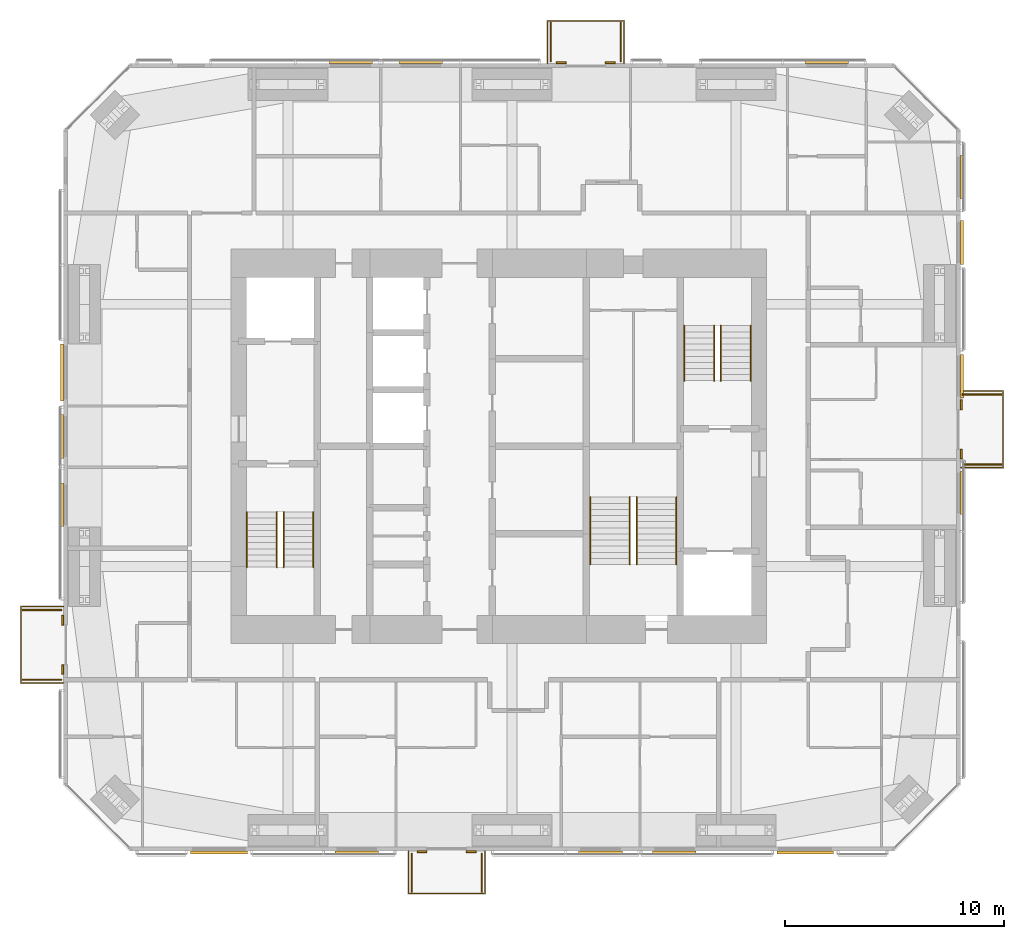
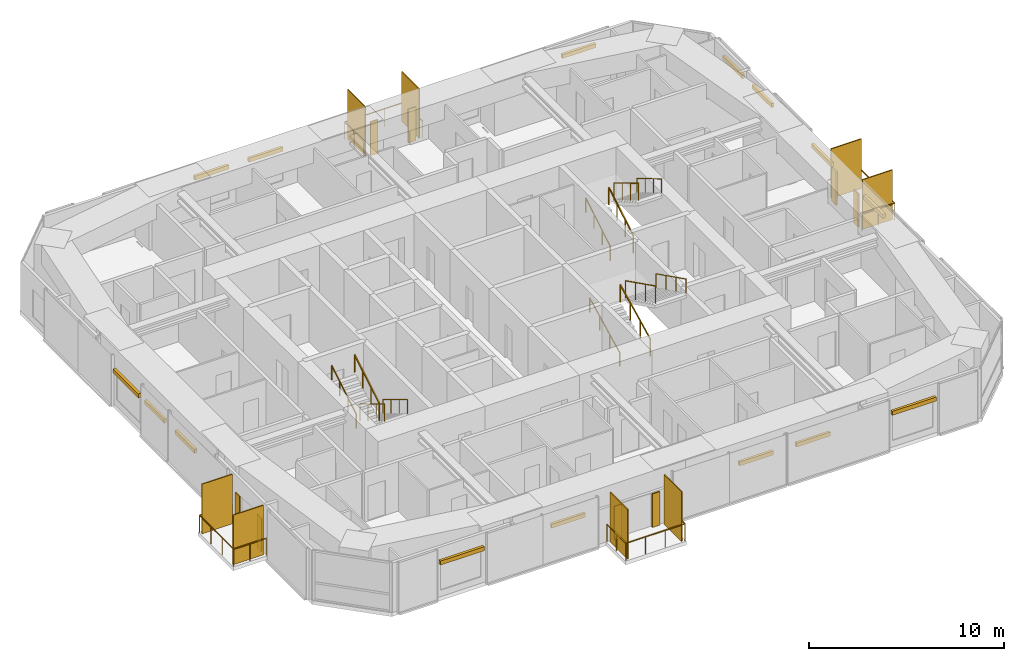
# One storey, part 23 of 23: 31 shading devices, 16 railings.
"""IFC4 building model written with IfcOpenShell, lengths in metres."""

from ifc_helpers import new_model, si_unit, direction, frame, origin, origin_2d, place, context, subcontext, project, spatial, rectangle, circle, extrude, material, layer, layer_set, constituent, constituent_set, type_object, element, save


model = new_model("IFC4")

# Units and contexts
model_context = context("Model", 3, precision=1e-05, world=origin(), true_north=direction((0.0, 1.0)))
body_context = subcontext(model_context, "Body", "Model", "MODEL_VIEW")
ifc_project = project(units=[si_unit("LENGTHUNIT", "METRE"), si_unit("AREAUNIT", "SQUARE_METRE"), si_unit("VOLUMEUNIT", "CUBIC_METRE"), si_unit("PLANEANGLEUNIT", "RADIAN"), si_unit("MASSUNIT", "GRAM", prefix="KILO")], contexts=[model_context])

# Site, building, storey
site_placement = place(None, origin())
site = spatial("IfcSite", under=ifc_project, at=site_placement, CompositionType="ELEMENT")
building_placement = place(site_placement, origin())
building = spatial("IfcBuilding", under=site, at=building_placement, Name="Jalousie Tower", CompositionType="ELEMENT")
storey_placement = place(building_placement, frame((0.0, 0.0, 181.14990234375)))
storey = spatial("IfcBuildingStorey", under=building, at=storey_placement, Name="L49", CompositionType="ELEMENT", Elevation=181.14990234375)

# Shading devices
ifc_material_1 = material(Name="Aluminium impact-rated louvred storm shutter", Category="aluminium")
shading_device_type_1 = type_object("IfcShadingDeviceType", Name="BI-FOLD STORM SHUTTER 900x2100", PredefinedType="SHUTTER", material=ifc_material_1)
for number, where, z_axis, x_axis, name in (
    (1, (28.387451171875, -0.0400390625, 0.0), (0.0, 0.0, 1.0), (1.0, 0.0, 0.0), "Balcony storm shutter L49"),
    (2, (30.637451171875, -0.0400390625, 0.0), (0.0, 0.0, 1.0), (1.0, 0.0, 0.0), "Balcony storm shutter L49"),
    (3, (53.0400390625, 18.14990234375, 0.0), (0.0, 0.0, 1.0), (0.0, 1.0, 0.0), "Balcony storm shutter L49"),
    (4, (53.0400390625, 20.39990234375, 0.0), (0.0, 0.0, 1.0), (0.0, 1.0, 0.0), "Balcony storm shutter L49"),
    (5, (37.0, 36.0400390625, 0.0), (0.0, 0.0, 1.0), (-1.0, 0.0, 0.0), "Balcony storm shutter L49"),
    (6, (34.75, 36.0400390625, 0.0), (0.0, 0.0, 1.0), (-1.0, 0.0, 0.0), "Balcony storm shutter L49"),
    (7, (11.9599609375, 10.550048828125, 0.0), (0.0, 0.0, 1.0), (0.0, -1.0, 0.0), "Balcony storm shutter L49"),
    (8, (11.9599609375, 8.300048828125, 0.0), (0.0, 0.0, 1.0), (0.0, -1.0, 0.0), "Balcony storm shutter L49"),
):
    element("IfcShadingDevice", number, at=place(storey_placement, frame(where, z_axis=z_axis, x_axis=x_axis)), inside=storey, type_object=shading_device_type_1, Name=name, PredefinedType="SHUTTER", context=body_context, shape_type="SweptSolid", body=[
        extrude(rectangle(XDim=0.449951171875, YDim=0.080078125, at=origin_2d()), origin(), (0.0, 0.0, 1.0), 2.10009765625),
    ])

# Railings
ifc_material_2 = material(Name="Powder-coated aluminium fretwork", Category="aluminium")
railing_type_1 = type_object("IfcRailingType", Name="FRETWORK BALUSTRADE 1100", PredefinedType="BALUSTRADE", material=ifc_material_2)
railing_1_placement = place(storey_placement, frame((27.762451171875, 0.0, 0.0)))
element("IfcRailing", 9, at=railing_1_placement, inside=storey, type_object=railing_type_1, Name="Balcony fretwork balustrade L49", PredefinedType="BALUSTRADE", context=body_context, shape_type="SweptSolid", body=[
    extrude(rectangle(XDim=0.048095703125, YDim=0.048095703125, at=origin_2d()), frame((0.0, 0.0, 1.076171875), z_axis=(0.0, -1.0, 0.0), x_axis=(1.0, 0.0, 0.0)), (0.0, 0.0, 1.0), 1.949951171875),
    extrude(rectangle(XDim=0.048095703125, YDim=0.048095703125, at=origin_2d()), frame((0.0, -1.949951171875, 1.076171875), z_axis=(1.0, 0.0, 0.0), x_axis=(0.0, 1.0, 0.0)), (0.0, 0.0, 1.0), 3.5),
    extrude(rectangle(XDim=0.048095703125, YDim=0.048095703125, at=origin_2d()), frame((3.5, -1.949951171875, 1.076171875), z_axis=(0.0, 1.0, 0.0), x_axis=(-1.0, 0.0, 0.0)), (0.0, 0.0, 1.0), 1.949951171875),
    extrude(circle(Radius=0.02099609375, at=origin_2d()), origin(), (0.0, 0.0, 1.0), 1.052001953125),
    extrude(circle(Radius=0.02099609375, at=origin_2d()), frame((0.0, -0.97509765625, 0.0)), (0.0, 0.0, 1.0), 1.052001953125),
    extrude(circle(Radius=0.02099609375, at=origin_2d()), frame((0.0, -1.949951171875, 0.0)), (0.0, 0.0, 1.0), 1.052001953125),
    extrude(circle(Radius=0.02099609375, at=origin_2d()), frame((1.166748046875, -1.949951171875, 0.0)), (0.0, 0.0, 1.0), 1.052001953125),
    extrude(circle(Radius=0.02099609375, at=origin_2d()), frame((2.333251953125, -1.949951171875, 0.0)), (0.0, 0.0, 1.0), 1.052001953125),
    extrude(circle(Radius=0.02099609375, at=origin_2d()), frame((3.5, -1.949951171875, 0.0)), (0.0, 0.0, 1.0), 1.052001953125),
    extrude(circle(Radius=0.02099609375, at=origin_2d()), frame((3.5, -0.97509765625, 0.0)), (0.0, 0.0, 1.0), 1.052001953125),
    extrude(circle(Radius=0.02099609375, at=origin_2d()), frame((3.5, 0.0, 0.0)), (0.0, 0.0, 1.0), 1.052001953125),
])
railing_2_placement = place(storey_placement, frame((53.0, 17.52490234375, 0.0)))
element("IfcRailing", 10, at=railing_2_placement, inside=storey, type_object=railing_type_1, Name="Balcony fretwork balustrade L49", PredefinedType="BALUSTRADE", context=body_context, shape_type="SweptSolid", body=[
    extrude(rectangle(XDim=0.048095703125, YDim=0.048095703125, at=origin_2d()), frame((0.0, 0.0, 1.076171875), z_axis=(1.0, 0.0, 0.0), x_axis=(0.0, 1.0, 0.0)), (0.0, 0.0, 1.0), 1.949951171875),
    extrude(rectangle(XDim=0.048095703125, YDim=0.048095703125, at=origin_2d()), frame((1.949951171875, 0.0, 1.076171875), z_axis=(0.0, 1.0, 0.0), x_axis=(-1.0, 0.0, 0.0)), (0.0, 0.0, 1.0), 3.5),
    extrude(rectangle(XDim=0.048095703125, YDim=0.048095703125, at=origin_2d()), frame((1.949951171875, 3.5, 1.076171875), z_axis=(-1.0, 0.0, 0.0), x_axis=(0.0, -1.0, 0.0)), (0.0, 0.0, 1.0), 1.949951171875),
    extrude(circle(Radius=0.02099609375, at=origin_2d()), origin(), (0.0, 0.0, 1.0), 1.052001953125),
    extrude(circle(Radius=0.02099609375, at=origin_2d()), frame((0.97509765625, 0.0, 0.0)), (0.0, 0.0, 1.0), 1.052001953125),
    extrude(circle(Radius=0.02099609375, at=origin_2d()), frame((1.949951171875, 0.0, 0.0)), (0.0, 0.0, 1.0), 1.052001953125),
    extrude(circle(Radius=0.02099609375, at=origin_2d()), frame((1.949951171875, 1.166748046875, 0.0)), (0.0, 0.0, 1.0), 1.052001953125),
    extrude(circle(Radius=0.02099609375, at=origin_2d()), frame((1.949951171875, 2.333251953125, 0.0)), (0.0, 0.0, 1.0), 1.052001953125),
    extrude(circle(Radius=0.02099609375, at=origin_2d()), frame((1.949951171875, 3.5, 0.0)), (0.0, 0.0, 1.0), 1.052001953125),
    extrude(circle(Radius=0.02099609375, at=origin_2d()), frame((0.97509765625, 3.5, 0.0)), (0.0, 0.0, 1.0), 1.052001953125),
    extrude(circle(Radius=0.02099609375, at=origin_2d()), frame((0.0, 3.5, 0.0)), (0.0, 0.0, 1.0), 1.052001953125),
])
railing_3_placement = place(storey_placement, frame((37.625, 36.0, 0.0)))
element("IfcRailing", 11, at=railing_3_placement, inside=storey, type_object=railing_type_1, Name="Balcony fretwork balustrade L49", PredefinedType="BALUSTRADE", context=body_context, shape_type="SweptSolid", body=[
    extrude(rectangle(XDim=0.048095703125, YDim=0.048095703125, at=origin_2d()), frame((0.0, 0.0, 1.076171875), z_axis=(0.0, 1.0, 0.0), x_axis=(-1.0, 0.0, 0.0)), (0.0, 0.0, 1.0), 1.949951171875),
    extrude(rectangle(XDim=0.048095703125, YDim=0.048095703125, at=origin_2d()), frame((0.0, 1.949951171875, 1.076171875), z_axis=(-1.0, 0.0, 0.0), x_axis=(0.0, -1.0, 0.0)), (0.0, 0.0, 1.0), 3.5),
    extrude(rectangle(XDim=0.048095703125, YDim=0.048095703125, at=origin_2d()), frame((-3.5, 1.949951171875, 1.076171875), z_axis=(0.0, -1.0, 0.0), x_axis=(1.0, 0.0, 0.0)), (0.0, 0.0, 1.0), 1.949951171875),
    extrude(circle(Radius=0.02099609375, at=origin_2d()), origin(), (0.0, 0.0, 1.0), 1.052001953125),
    extrude(circle(Radius=0.02099609375, at=origin_2d()), frame((0.0, 0.97509765625, 0.0)), (0.0, 0.0, 1.0), 1.052001953125),
    extrude(circle(Radius=0.02099609375, at=origin_2d()), frame((0.0, 1.949951171875, 0.0)), (0.0, 0.0, 1.0), 1.052001953125),
    extrude(circle(Radius=0.02099609375, at=origin_2d()), frame((-1.166748046875, 1.949951171875, 0.0)), (0.0, 0.0, 1.0), 1.052001953125),
    extrude(circle(Radius=0.02099609375, at=origin_2d()), frame((-2.333251953125, 1.949951171875, 0.0)), (0.0, 0.0, 1.0), 1.052001953125),
    extrude(circle(Radius=0.02099609375, at=origin_2d()), frame((-3.5, 1.949951171875, 0.0)), (0.0, 0.0, 1.0), 1.052001953125),
    extrude(circle(Radius=0.02099609375, at=origin_2d()), frame((-3.5, 0.97509765625, 0.0)), (0.0, 0.0, 1.0), 1.052001953125),
    extrude(circle(Radius=0.02099609375, at=origin_2d()), frame((-3.5, 0.0, 0.0)), (0.0, 0.0, 1.0), 1.052001953125),
])
railing_4_placement = place(storey_placement, frame((12.0, 11.175048828125, 0.0)))
element("IfcRailing", 12, at=railing_4_placement, inside=storey, type_object=railing_type_1, Name="Balcony fretwork balustrade L49", PredefinedType="BALUSTRADE", context=body_context, shape_type="SweptSolid", body=[
    extrude(rectangle(XDim=0.048095703125, YDim=0.048095703125, at=origin_2d()), frame((0.0, 0.0, 1.076171875), z_axis=(-1.0, 0.0, 0.0), x_axis=(0.0, -1.0, 0.0)), (0.0, 0.0, 1.0), 1.949951171875),
    extrude(rectangle(XDim=0.048095703125, YDim=0.048095703125, at=origin_2d()), frame((-1.949951171875, 0.0, 1.076171875), z_axis=(0.0, -1.0, 0.0), x_axis=(1.0, 0.0, 0.0)), (0.0, 0.0, 1.0), 3.5),
    extrude(rectangle(XDim=0.048095703125, YDim=0.048095703125, at=origin_2d()), frame((-1.949951171875, -3.5, 1.076171875), z_axis=(1.0, 0.0, 0.0), x_axis=(0.0, 1.0, 0.0)), (0.0, 0.0, 1.0), 1.949951171875),
    extrude(circle(Radius=0.02099609375, at=origin_2d()), origin(), (0.0, 0.0, 1.0), 1.052001953125),
    extrude(circle(Radius=0.02099609375, at=origin_2d()), frame((-0.97509765625, 0.0, 0.0)), (0.0, 0.0, 1.0), 1.052001953125),
    extrude(circle(Radius=0.02099609375, at=origin_2d()), frame((-1.949951171875, 0.0, 0.0)), (0.0, 0.0, 1.0), 1.052001953125),
    extrude(circle(Radius=0.02099609375, at=origin_2d()), frame((-1.949951171875, -1.166748046875, 0.0)), (0.0, 0.0, 1.0), 1.052001953125),
    extrude(circle(Radius=0.02099609375, at=origin_2d()), frame((-1.949951171875, -2.333251953125, 0.0)), (0.0, 0.0, 1.0), 1.052001953125),
    extrude(circle(Radius=0.02099609375, at=origin_2d()), frame((-1.949951171875, -3.5, 0.0)), (0.0, 0.0, 1.0), 1.052001953125),
    extrude(circle(Radius=0.02099609375, at=origin_2d()), frame((-0.97509765625, -3.5, 0.0)), (0.0, 0.0, 1.0), 1.052001953125),
    extrude(circle(Radius=0.02099609375, at=origin_2d()), frame((0.0, -3.5, 0.0)), (0.0, 0.0, 1.0), 1.052001953125),
])

# Shading devices
ifc_material_3 = material(Name="Powder-coated aluminium louvres", Category="aluminium")
ifc_layer = layer(ifc_material_3, 0.06005859375)
ifc_layer_set = layer_set([ifc_layer], Name="Powder-coated aluminium louvres")
shading_device_type_2 = type_object("IfcShadingDeviceType", Name="JALOUSIE LOUVRE SCREEN", PredefinedType="JALOUSIE", material=ifc_layer_set)
for number, where, z_axis, x_axis, name in (
    (13, (27.91259765625, -1.0, 0.0), (0.0, 0.0, 1.0), (1.0, 0.0, 0.0), "Jalousie louvre screen L49"),
    (14, (31.112548828125, -1.0, 0.0), (0.0, 0.0, 1.0), (1.0, 0.0, 0.0), "Jalousie louvre screen L49"),
    (15, (54.0, 17.675048828125, 0.0), (0.0, 0.0, 1.0), (0.0, 1.0, 0.0), "Jalousie louvre screen L49"),
    (16, (54.0, 20.875, 0.0), (0.0, 0.0, 1.0), (0.0, 1.0, 0.0), "Jalousie louvre screen L49"),
    (17, (37.47509765625, 37.0, 0.0), (0.0, 0.0, 1.0), (-1.0, 0.0, 0.0), "Jalousie louvre screen L49"),
    (18, (34.27490234375, 37.0, 0.0), (0.0, 0.0, 1.0), (-1.0, 0.0, 0.0), "Jalousie louvre screen L49"),
    (19, (11.0, 11.02490234375, 0.0), (0.0, 0.0, 1.0), (0.0, -1.0, 0.0), "Jalousie louvre screen L49"),
    (20, (11.0, 7.824951171875, 0.0), (0.0, 0.0, 1.0), (0.0, -1.0, 0.0), "Jalousie louvre screen L49"),
):
    element("IfcShadingDevice", number, at=place(storey_placement, frame(where, z_axis=z_axis, x_axis=x_axis)), inside=storey, type_object=shading_device_type_2, Name=name, PredefinedType="JALOUSIE", context=body_context, shape_type="SweptSolid", body=[
        extrude(rectangle(XDim=0.06005859375, YDim=1.800048828125, at=origin_2d()), origin(), (0.0, 0.0, 1.0), 3.110107421875),
    ])

# Railings
ifc_material_4 = material(Name="Steel ASTM A500 Grade C", Category="steel")
ifc_constituent_1 = constituent(ifc_material_4, Name="Body")
ifc_material_5 = material(Name="Hot-dip galvanised zinc coating")
ifc_constituent_2 = constituent(ifc_material_5, Name="Finish")
ifc_constituent_set_1 = constituent_set(constituents=[ifc_constituent_1, ifc_constituent_2])
railing_type_2 = type_object("IfcRailingType", Name="STAIR GUARD 1100", PredefinedType="GUARDRAIL", material=ifc_constituent_set_1)
railing_5_placement = place(storey_placement, frame((22.054931640625, 15.49755859375, 0.16748046875)))
element("IfcRailing", 21, at=railing_5_placement, inside=storey, type_object=railing_type_2, Name="Exit stair A guard L49 flight 1", PredefinedType="GUARDRAIL", context=body_context, shape_type="SweptSolid", body=[
    extrude(rectangle(XDim=0.048095703125, YDim=0.048095703125, at=origin_2d()), frame((0.0, 0.0, 1.076171875), z_axis=(0.0, -0.858159760407, 0.513382728203), x_axis=(1.0, 0.0, 0.0)), (0.0, 0.0, 1.0), 2.9365234375),
    extrude(circle(Radius=0.02099609375, at=origin_2d()), origin(), (0.0, 0.0, 1.0), 1.052001953125),
    extrude(circle(Radius=0.02099609375, at=origin_2d()), frame((0.0, -0.840087890625, 0.50244140625)), (0.0, 0.0, 1.0), 1.052001953125),
    extrude(circle(Radius=0.02099609375, at=origin_2d()), frame((0.0, -1.679931640625, 1.005126953125)), (0.0, 0.0, 1.0), 1.052001953125),
    extrude(circle(Radius=0.02099609375, at=origin_2d()), frame((0.0, -2.52001953125, 1.507568359375)), (0.0, 0.0, 1.0), 1.052001953125),
])
for number, where, name in (
    (22, (21.7451171875, 12.9775390625, 1.842529296875), "Exit stair A guard L49 flight 2"),
    (23, (41.7451171875, 21.50244140625, 0.16748046875), "Exit stair B guard L49 flight 1"),
):
    element("IfcRailing", number, at=place(storey_placement, frame(where)), inside=storey, type_object=railing_type_2, Name=name, PredefinedType="GUARDRAIL", context=body_context, shape_type="SweptSolid", body=[
        extrude(rectangle(XDim=0.048095703125, YDim=0.048095703125, at=origin_2d()), frame((0.0, 0.0, 1.076171875), z_axis=(0.0, 0.858159760407, 0.513382728203), x_axis=(-1.0, 0.0, 0.0)), (0.0, 0.0, 1.0), 2.9365234375),
        extrude(circle(Radius=0.02099609375, at=origin_2d()), origin(), (0.0, 0.0, 1.0), 1.052001953125),
        extrude(circle(Radius=0.02099609375, at=origin_2d()), frame((0.0, 0.840087890625, 0.50244140625)), (0.0, 0.0, 1.0), 1.052001953125),
        extrude(circle(Radius=0.02099609375, at=origin_2d()), frame((0.0, 1.679931640625, 1.005126953125)), (0.0, 0.0, 1.0), 1.052001953125),
        extrude(circle(Radius=0.02099609375, at=origin_2d()), frame((0.0, 2.52001953125, 1.507568359375)), (0.0, 0.0, 1.0), 1.052001953125),
    ])
railing_6_placement = place(storey_placement, frame((42.054931640625, 24.0224609375, 1.842529296875)))
element("IfcRailing", 24, at=railing_6_placement, inside=storey, type_object=railing_type_2, Name="Exit stair B guard L49 flight 2", PredefinedType="GUARDRAIL", context=body_context, shape_type="SweptSolid", body=[
    extrude(rectangle(XDim=0.048095703125, YDim=0.048095703125, at=origin_2d()), frame((0.0, 0.0, 1.076171875), z_axis=(0.0, -0.858159760407, 0.513382728203), x_axis=(1.0, 0.0, 0.0)), (0.0, 0.0, 1.0), 2.9365234375),
    extrude(circle(Radius=0.02099609375, at=origin_2d()), origin(), (0.0, 0.0, 1.0), 1.052001953125),
    extrude(circle(Radius=0.02099609375, at=origin_2d()), frame((0.0, -0.840087890625, 0.50244140625)), (0.0, 0.0, 1.0), 1.052001953125),
    extrude(circle(Radius=0.02099609375, at=origin_2d()), frame((0.0, -1.679931640625, 1.005126953125)), (0.0, 0.0, 1.0), 1.052001953125),
    extrude(circle(Radius=0.02099609375, at=origin_2d()), frame((0.0, -2.52001953125, 1.507568359375)), (0.0, 0.0, 1.0), 1.052001953125),
])
railing_7_placement = place(storey_placement, frame((37.89501953125, 13.097412109375, 0.1396484375)))
element("IfcRailing", 25, at=railing_7_placement, inside=storey, type_object=railing_type_2, Name="Exit stair C guard L49 flight 1", PredefinedType="GUARDRAIL", context=body_context, shape_type="SweptSolid", body=[
    extrude(rectangle(XDim=0.048095703125, YDim=0.048095703125, at=origin_2d()), frame((0.0, 0.0, 1.076171875), z_axis=(0.0, 0.894965676997, 0.446134998624), x_axis=(-1.0, 0.0, 0.0)), (0.0, 0.0, 1.0), 3.441650390625),
    extrude(circle(Radius=0.02099609375, at=origin_2d()), origin(), (0.0, 0.0, 1.0), 1.052001953125),
    extrude(circle(Radius=0.02099609375, at=origin_2d()), frame((0.0, 1.026611328125, 0.51171875)), (0.0, 0.0, 1.0), 1.052001953125),
    extrude(circle(Radius=0.02099609375, at=origin_2d()), frame((0.0, 2.053466796875, 1.023681640625)), (0.0, 0.0, 1.0), 1.052001953125),
    extrude(circle(Radius=0.02099609375, at=origin_2d()), frame((0.0, 3.080078125, 1.535400390625)), (0.0, 0.0, 1.0), 1.052001953125),
])
railing_8_placement = place(storey_placement, frame((38.205078125, 16.177490234375, 1.814697265625)))
element("IfcRailing", 26, at=railing_8_placement, inside=storey, type_object=railing_type_2, Name="Exit stair C guard L49 flight 2", PredefinedType="GUARDRAIL", context=body_context, shape_type="SweptSolid", body=[
    extrude(rectangle(XDim=0.048095703125, YDim=0.048095703125, at=origin_2d()), frame((0.0, 0.0, 1.076171875), z_axis=(0.0, -0.894965676997, 0.446134998624), x_axis=(1.0, 0.0, 0.0)), (0.0, 0.0, 1.0), 3.441650390625),
    extrude(circle(Radius=0.02099609375, at=origin_2d()), origin(), (0.0, 0.0, 1.0), 1.052001953125),
    extrude(circle(Radius=0.02099609375, at=origin_2d()), frame((0.0, -1.026611328125, 0.51171875)), (0.0, 0.0, 1.0), 1.052001953125),
    extrude(circle(Radius=0.02099609375, at=origin_2d()), frame((0.0, -2.053466796875, 1.023681640625)), (0.0, 0.0, 1.0), 1.052001953125),
    extrude(circle(Radius=0.02099609375, at=origin_2d()), frame((0.0, -3.080078125, 1.535400390625)), (0.0, 0.0, 1.0), 1.052001953125),
])
ifc_material_6 = material(Name="Steel ASTM A500 Grade C", Category="steel")
ifc_constituent_3 = constituent(ifc_material_6, Name="Body")
ifc_material_7 = material(Name="Hot-dip galvanised zinc coating")
ifc_constituent_4 = constituent(ifc_material_7, Name="Finish")
ifc_constituent_set_2 = constituent_set(constituents=[ifc_constituent_3, ifc_constituent_4])
railing_type_3 = type_object("IfcRailingType", Name="STAIR HANDRAIL 900", PredefinedType="HANDRAIL", material=ifc_constituent_set_2)
railing_9_placement = place(storey_placement, frame((23.419921875, 15.49755859375, 0.16748046875)))
element("IfcRailing", 27, at=railing_9_placement, inside=storey, type_object=railing_type_3, Name="Exit stair A handrail L49 flight 1", PredefinedType="HANDRAIL", context=body_context, shape_type="SweptSolid", body=[
    extrude(circle(Radius=0.02392578125, at=origin_2d()), frame((0.0, 0.0, 0.8759765625), z_axis=(0.0, -0.858159760407, 0.513382728203), x_axis=(1.0, 0.0, 0.0)), (0.0, 0.0, 1.0), 2.9365234375),
    extrude(circle(Radius=0.02099609375, at=origin_2d()), origin(), (0.0, 0.0, 1.0), 0.851806640625),
    extrude(circle(Radius=0.02099609375, at=origin_2d()), frame((0.0, -0.840087890625, 0.50244140625)), (0.0, 0.0, 1.0), 0.851806640625),
    extrude(circle(Radius=0.02099609375, at=origin_2d()), frame((0.0, -1.679931640625, 1.005126953125)), (0.0, 0.0, 1.0), 0.851806640625),
    extrude(circle(Radius=0.02099609375, at=origin_2d()), frame((0.0, -2.52001953125, 1.507568359375)), (0.0, 0.0, 1.0), 0.851806640625),
])
for number, where, name in (
    (28, (20.3798828125, 12.9775390625, 1.842529296875), "Exit stair A handrail L49 flight 2"),
    (29, (40.3798828125, 21.50244140625, 0.16748046875), "Exit stair B handrail L49 flight 1"),
):
    element("IfcRailing", number, at=place(storey_placement, frame(where)), inside=storey, type_object=railing_type_3, Name=name, PredefinedType="HANDRAIL", context=body_context, shape_type="SweptSolid", body=[
        extrude(circle(Radius=0.02392578125, at=origin_2d()), frame((0.0, 0.0, 0.8759765625), z_axis=(0.0, 0.858159760407, 0.513382728203), x_axis=(-1.0, 0.0, 0.0)), (0.0, 0.0, 1.0), 2.9365234375),
        extrude(circle(Radius=0.02099609375, at=origin_2d()), origin(), (0.0, 0.0, 1.0), 0.851806640625),
        extrude(circle(Radius=0.02099609375, at=origin_2d()), frame((0.0, 0.840087890625, 0.50244140625)), (0.0, 0.0, 1.0), 0.851806640625),
        extrude(circle(Radius=0.02099609375, at=origin_2d()), frame((0.0, 1.679931640625, 1.005126953125)), (0.0, 0.0, 1.0), 0.851806640625),
        extrude(circle(Radius=0.02099609375, at=origin_2d()), frame((0.0, 2.52001953125, 1.507568359375)), (0.0, 0.0, 1.0), 0.851806640625),
    ])
railing_10_placement = place(storey_placement, frame((43.419921875, 24.0224609375, 1.842529296875)))
element("IfcRailing", 30, at=railing_10_placement, inside=storey, type_object=railing_type_3, Name="Exit stair B handrail L49 flight 2", PredefinedType="HANDRAIL", context=body_context, shape_type="SweptSolid", body=[
    extrude(circle(Radius=0.02392578125, at=origin_2d()), frame((0.0, 0.0, 0.8759765625), z_axis=(0.0, -0.858159760407, 0.513382728203), x_axis=(1.0, 0.0, 0.0)), (0.0, 0.0, 1.0), 2.9365234375),
    extrude(circle(Radius=0.02099609375, at=origin_2d()), origin(), (0.0, 0.0, 1.0), 0.851806640625),
    extrude(circle(Radius=0.02099609375, at=origin_2d()), frame((0.0, -0.840087890625, 0.50244140625)), (0.0, 0.0, 1.0), 0.851806640625),
    extrude(circle(Radius=0.02099609375, at=origin_2d()), frame((0.0, -1.679931640625, 1.005126953125)), (0.0, 0.0, 1.0), 0.851806640625),
    extrude(circle(Radius=0.02099609375, at=origin_2d()), frame((0.0, -2.52001953125, 1.507568359375)), (0.0, 0.0, 1.0), 0.851806640625),
])
railing_11_placement = place(storey_placement, frame((36.080078125, 13.097412109375, 0.1396484375)))
element("IfcRailing", 31, at=railing_11_placement, inside=storey, type_object=railing_type_3, Name="Exit stair C handrail L49 flight 1", PredefinedType="HANDRAIL", context=body_context, shape_type="SweptSolid", body=[
    extrude(circle(Radius=0.02392578125, at=origin_2d()), frame((0.0, 0.0, 0.8759765625), z_axis=(0.0, 0.894965676997, 0.446134998624), x_axis=(-1.0, 0.0, 0.0)), (0.0, 0.0, 1.0), 3.441650390625),
    extrude(circle(Radius=0.02099609375, at=origin_2d()), origin(), (0.0, 0.0, 1.0), 0.851806640625),
    extrude(circle(Radius=0.02099609375, at=origin_2d()), frame((0.0, 1.026611328125, 0.51171875)), (0.0, 0.0, 1.0), 0.851806640625),
    extrude(circle(Radius=0.02099609375, at=origin_2d()), frame((0.0, 2.053466796875, 1.023681640625)), (0.0, 0.0, 1.0), 0.851806640625),
    extrude(circle(Radius=0.02099609375, at=origin_2d()), frame((0.0, 3.080078125, 1.535400390625)), (0.0, 0.0, 1.0), 0.851806640625),
])
railing_12_placement = place(storey_placement, frame((40.02001953125, 16.177490234375, 1.814697265625)))
element("IfcRailing", 32, at=railing_12_placement, inside=storey, type_object=railing_type_3, Name="Exit stair C handrail L49 flight 2", PredefinedType="HANDRAIL", context=body_context, shape_type="SweptSolid", body=[
    extrude(circle(Radius=0.02392578125, at=origin_2d()), frame((0.0, 0.0, 0.8759765625), z_axis=(0.0, -0.894965676997, 0.446134998624), x_axis=(1.0, 0.0, 0.0)), (0.0, 0.0, 1.0), 3.441650390625),
    extrude(circle(Radius=0.02099609375, at=origin_2d()), origin(), (0.0, 0.0, 1.0), 0.851806640625),
    extrude(circle(Radius=0.02099609375, at=origin_2d()), frame((0.0, -1.026611328125, 0.51171875)), (0.0, 0.0, 1.0), 0.851806640625),
    extrude(circle(Radius=0.02099609375, at=origin_2d()), frame((0.0, -2.053466796875, 1.023681640625)), (0.0, 0.0, 1.0), 0.851806640625),
    extrude(circle(Radius=0.02099609375, at=origin_2d()), frame((0.0, -3.080078125, 1.535400390625)), (0.0, 0.0, 1.0), 0.851806640625),
])

# Shading devices
ifc_material_8 = material(Name="Aluminium roller storm shutter", Category="aluminium")
shading_device_type_3 = type_object("IfcShadingDeviceType", Name="STORM SHUTTER HOUSING", PredefinedType="SHUTTER", material=ifc_material_8)
shading_device_1_placement = place(storey_placement, frame((19.10009765625, -0.074951171875, 2.10009765625), z_axis=(0.0, 0.0, 1.0), x_axis=(1.0, 0.0, 0.0)))
element("IfcShadingDevice", 33, at=shading_device_1_placement, inside=storey, type_object=shading_device_type_3, Name="Storm shutter L49", PredefinedType="SHUTTER", context=body_context, shape_type="SweptSolid", body=[
    extrude(rectangle(XDim=2.60009765625, YDim=0.14990234375, at=origin_2d()), origin(), (0.0, 0.0, 1.0), 0.25),
])
for number, where, z_axis, x_axis, name in (
    (34, (25.39990234375, -0.074951171875, 2.10009765625), (0.0, 0.0, 1.0), (1.0, 0.0, 0.0), "Storm shutter L49"),
    (35, (36.550048828125, -0.074951171875, 2.10009765625), (0.0, 0.0, 1.0), (1.0, 0.0, 0.0), "Storm shutter L49"),
    (36, (39.925048828125, -0.074951171875, 2.10009765625), (0.0, 0.0, 1.0), (1.0, 0.0, 0.0), "Storm shutter L49"),
):
    element("IfcShadingDevice", number, at=place(storey_placement, frame(where, z_axis=z_axis, x_axis=x_axis)), inside=storey, type_object=shading_device_type_3, Name=name, PredefinedType="SHUTTER", context=body_context, shape_type="SweptSolid", body=[
        extrude(rectangle(XDim=2.0, YDim=0.14990234375, at=origin_2d()), origin(), (0.0, 0.0, 1.0), 0.25),
    ])
shading_device_2_placement = place(storey_placement, frame((45.909912109375, -0.074951171875, 2.10009765625), z_axis=(0.0, 0.0, 1.0), x_axis=(1.0, 0.0, 0.0)))
element("IfcShadingDevice", 37, at=shading_device_2_placement, inside=storey, type_object=shading_device_type_3, Name="Storm shutter L49", PredefinedType="SHUTTER", context=body_context, shape_type="SweptSolid", body=[
    extrude(rectangle(XDim=2.60009765625, YDim=0.14990234375, at=origin_2d()), origin(), (0.0, 0.0, 1.0), 0.25),
])
for number, where, z_axis, x_axis, name in (
    (38, (53.074951171875, 16.375, 2.10009765625), (0.0, 0.0, 1.0), (0.0, 1.0, 0.0), "Storm shutter L49"),
    (39, (53.074951171875, 21.71240234375, 2.10009765625), (0.0, 0.0, 1.0), (0.0, 1.0, 0.0), "Storm shutter L49"),
    (40, (53.074951171875, 27.824951171875, 2.10009765625), (0.0, 0.0, 1.0), (0.0, 1.0, 0.0), "Storm shutter L49"),
    (41, (53.074951171875, 30.822509765625, 2.10009765625), (0.0, 0.0, 1.0), (0.0, 1.0, 0.0), "Storm shutter L49"),
    (42, (46.89990234375, 36.074951171875, 2.10009765625), (0.0, 0.0, 1.0), (-1.0, 0.0, 0.0), "Storm shutter L49"),
    (43, (28.324951171875, 36.074951171875, 2.10009765625), (0.0, 0.0, 1.0), (-1.0, 0.0, 0.0), "Storm shutter L49"),
    (44, (25.1201171875, 36.074951171875, 2.10009765625), (0.0, 0.0, 1.0), (-1.0, 0.0, 0.0), "Storm shutter L49"),
):
    element("IfcShadingDevice", number, at=place(storey_placement, frame(where, z_axis=z_axis, x_axis=x_axis)), inside=storey, type_object=shading_device_type_3, Name=name, PredefinedType="SHUTTER", context=body_context, shape_type="SweptSolid", body=[
        extrude(rectangle(XDim=2.0, YDim=0.14990234375, at=origin_2d()), origin(), (0.0, 0.0, 1.0), 0.25),
    ])
shading_device_3_placement = place(storey_placement, frame((11.925048828125, 21.875, 2.10009765625), z_axis=(0.0, 0.0, 1.0), x_axis=(0.0, -1.0, 0.0)))
element("IfcShadingDevice", 45, at=shading_device_3_placement, inside=storey, type_object=shading_device_type_3, Name="Storm shutter L49", PredefinedType="SHUTTER", context=body_context, shape_type="SweptSolid", body=[
    extrude(rectangle(XDim=2.60009765625, YDim=0.14990234375, at=origin_2d()), origin(), (0.0, 0.0, 1.0), 0.25),
])
for number, where, z_axis, x_axis, name in (
    (46, (11.925048828125, 18.949951171875, 2.10009765625), (0.0, 0.0, 1.0), (0.0, -1.0, 0.0), "Storm shutter L49"),
    (47, (11.925048828125, 15.830078125, 2.10009765625), (0.0, 0.0, 1.0), (0.0, -1.0, 0.0), "Storm shutter L49"),
):
    element("IfcShadingDevice", number, at=place(storey_placement, frame(where, z_axis=z_axis, x_axis=x_axis)), inside=storey, type_object=shading_device_type_3, Name=name, PredefinedType="SHUTTER", context=body_context, shape_type="SweptSolid", body=[
        extrude(rectangle(XDim=2.0, YDim=0.14990234375, at=origin_2d()), origin(), (0.0, 0.0, 1.0), 0.25),
    ])

save(model, "model.ifc")
